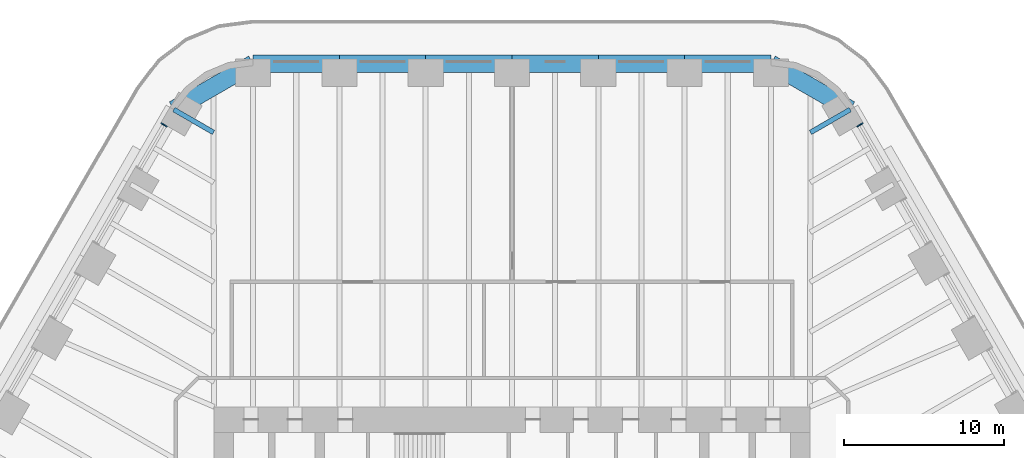
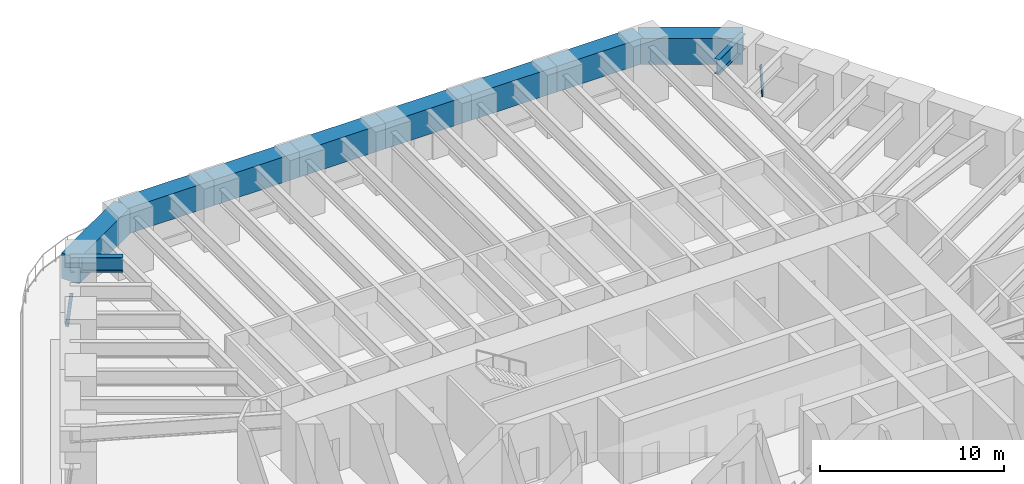
# One storey, part 7 of 16: 10 beams, 2 members, 2 elements without a shape of their own.
"""IFC4 building model written with IfcOpenShell, lengths in metres."""

import ifcopenshell
import ifcopenshell.guid

model = None  # the IFC model being written
_history = None  # IfcOwnerHistory: only IFC2X3 demands one
_inside = {}  # id of a spatial element -> (the spatial element, [elements in it])
_under = {}  # id of a project, library or spatial element -> (it, [spatial elements below it])
_declared = {}  # id of a project -> (the project, [libraries it declares])
_typed = {}  # id of a type object -> (the type object, [elements of that type])
_made_of = {}  # id of a material, layer set ... -> (it, [elements and type objects made of it])


def new_model(schema):
    """Start an empty IFC model of exactly this schema.

    Asked for "IFC4X3", IfcOpenShell would pick the latest addendum, in which some entities
    have other attributes; the version numbers below select the first issue.
    IFC2X3 requires an IfcOwnerHistory on every rooted entity: one is made here for all.
    """
    global model, _history
    if schema == "IFC4X3":
        model = ifcopenshell.file(schema_version=(4, 3, 0, 0))
    else:
        model = ifcopenshell.file(schema=schema)
    _inside.clear()
    _under.clear()
    _declared.clear()
    _typed.clear()
    _made_of.clear()
    _history = None
    if model.schema == "IFC2X3":
        org = make("IfcOrganization", Name="unknown")
        user = make(
            "IfcPersonAndOrganization",
            ThePerson=make("IfcPerson", FamilyName="unknown"),
            TheOrganization=org,
        )
        app = make(
            "IfcApplication",
            ApplicationDeveloper=org,
            Version="unknown",
            ApplicationFullName="unknown",
            ApplicationIdentifier="unknown",
        )
        _history = make(
            "IfcOwnerHistory",
            OwningUser=user,
            OwningApplication=app,
            ChangeAction="ADDED",
            CreationDate=0,
        )
    return model


def make(cls, **values):
    """One entity of the class cls with the attributes given. An attribute that is None is left unset."""
    return model.create_entity(
        cls, **{name: value for name, value in values.items() if value is not None}
    )


def rooted(cls, **values):
    """An entity with a GlobalId (a new one), such as an element, a storey or a relation."""
    return make(cls, GlobalId=ifcopenshell.guid.new(), OwnerHistory=_history, **values)


def si_unit(unit_type, name, prefix=None):
    """IfcSIUnit, for example si_unit("LENGTHUNIT", "METRE", prefix="MILLI")."""
    return make("IfcSIUnit", UnitType=unit_type, Prefix=prefix, Name=name)


def assignment(units):
    """IfcUnitAssignment: the units of a project."""
    return None if units is None else make("IfcUnitAssignment", Units=units)


def point(xyz):
    """IfcCartesianPoint."""
    return None if xyz is None else make("IfcCartesianPoint", Coordinates=xyz)


def direction(xyz):
    """IfcDirection."""
    return None if xyz is None else make("IfcDirection", DirectionRatios=xyz)


def frame(location, z_axis=None, x_axis=None):
    """IfcAxis2Placement3D, a coordinate frame: its origin and axes. An axis left out is left unset."""
    return make(
        "IfcAxis2Placement3D",
        Location=point(location),
        Axis=direction(z_axis),
        RefDirection=direction(x_axis),
    )


def frame_2d(location, x_axis=None):
    """IfcAxis2Placement2D, a coordinate frame in the plane: its origin and x axis."""
    return make(
        "IfcAxis2Placement2D", Location=point(location), RefDirection=direction(x_axis)
    )


def origin():
    """The frame at (0, 0, 0) with its axes left unset."""
    return frame((0.0, 0.0, 0.0))


def origin_2d():
    """The frame at (0, 0) in the plane with its x axis left unset."""
    return frame_2d((0.0, 0.0))


def place(relative_to, where):
    """IfcLocalPlacement: puts the frame where relative to a parent placement (None: the world)."""
    return make(
        "IfcLocalPlacement", PlacementRelTo=relative_to, RelativePlacement=where
    )


def context(
    kind, dimensions, precision=None, world=None, true_north=None, identifier=None
):
    """IfcGeometricRepresentationContext, for example the 3D "Model" context."""
    return make(
        "IfcGeometricRepresentationContext",
        ContextIdentifier=identifier,
        ContextType=kind,
        CoordinateSpaceDimension=dimensions,
        Precision=precision,
        WorldCoordinateSystem=world,
        TrueNorth=true_north,
    )


def subcontext(parent, identifier, kind, view, scale=None):
    """IfcGeometricRepresentationSubContext, for example "Body" below "Model"."""
    return make(
        "IfcGeometricRepresentationSubContext",
        ContextIdentifier=identifier,
        ContextType=kind,
        ParentContext=parent,
        TargetScale=scale,
        TargetView=view,
    )


def project(units=None, contexts=None):
    """IfcProject with its units and contexts."""
    return rooted(
        "IfcProject",
        Name="project",
        RepresentationContexts=contexts,
        UnitsInContext=assignment(units),
    )


def spatial(cls, under=None, at=None, **own):
    """A site, building, storey or space (cls), placed at a placement, below another one or the project."""
    s = rooted(cls, ObjectPlacement=at, **own)
    if under is not None:
        _under.setdefault(under.id(), (under, []))[1].append(s)
    return s


def profile(cls, at=None, kind="AREA", **sizes):
    """A parametric profile (cls). Its sizes go by their IFC names, for example OverallWidth=200.0."""
    return make(cls, ProfileType=kind, Position=at, **sizes)


def rectangle(**sizes):
    """IfcRectangleProfileDef."""
    return profile("IfcRectangleProfileDef", **sizes)


def i_section(**sizes):
    """IfcIShapeProfileDef."""
    return profile("IfcIShapeProfileDef", **sizes)


def extrude(swept, where, along, depth):
    """IfcExtrudedAreaSolid: the profile swept, set in the frame where, extruded along a direction by depth."""
    return make(
        "IfcExtrudedAreaSolid",
        SweptArea=swept,
        Position=where,
        ExtrudedDirection=direction(along),
        Depth=depth,
    )


def shape(context_of_items, identifier, shape_type, items):
    """IfcShapeRepresentation: the items that make up one representation, for example the "Body"."""
    return make(
        "IfcShapeRepresentation",
        ContextOfItems=context_of_items,
        RepresentationIdentifier=identifier,
        RepresentationType=shape_type,
        Items=items,
    )


def material(Name=None, Category=None):
    """IfcMaterial."""
    return make("IfcMaterial", Name=Name, Category=Category)


def material_profile(
    of_material, cross_section, Name=None, Category=None, Priority=None
):
    """IfcMaterialProfile: a cross section and its material."""
    return make(
        "IfcMaterialProfile",
        Name=Name,
        Material=of_material,
        Profile=cross_section,
        Priority=Priority,
        Category=Category,
    )


def profile_set(profiles, Name=None, composite=None):
    """IfcMaterialProfileSet."""
    return make(
        "IfcMaterialProfileSet",
        Name=Name,
        MaterialProfiles=profiles,
        CompositeProfile=composite,
    )


def made_of(thing, what):
    """Note that an element or type object is made of a material, layer set ...; save() writes the relation."""
    if what is not None:
        _made_of.setdefault(what.id(), (what, []))[1].append(thing)
    return thing


def type_object(cls, material=None, **own):
    """A type object (cls), such as IfcWallType, which elements share."""
    return made_of(rooted(cls, **own), material)


def element(
    cls,
    number,
    at=None,
    inside=None,
    cuts=None,
    type_object=None,
    material=None,
    context=None,
    identifier="Body",
    shape_type=None,
    held_by="IfcProductDefinitionShape",
    body=None,
    shapes=None,
    **own,
):
    """One element of the class cls, such as IfcWall. Its Tag is "e" and its number.

    at: its placement. inside: the storey or other place that contains it. cuts: it is an
    opening in that element (IfcRelVoidsElement). A single representation is given by context,
    identifier, shape_type and body (its items); several are given by shapes. held_by: the class
    of the entity that holds the representations. save() writes the other relations.
    """
    e = rooted(cls, Tag="e%d" % number, ObjectPlacement=at, **own)
    if body is not None:
        shapes = [shape(context, identifier, shape_type, body)]
    if shapes is not None:
        e.Representation = make(held_by, Representations=shapes)
    if inside is not None:
        _inside.setdefault(inside.id(), (inside, []))[1].append(e)
    if cuts is not None:
        rooted(
            "IfcRelVoidsElement", RelatingBuildingElement=cuts, RelatedOpeningElement=e
        )
    if type_object is not None:
        _typed.setdefault(type_object.id(), (type_object, []))[1].append(e)
    return made_of(e, material)


def aggregate(whole, parts):
    """IfcRelAggregates: a whole, such as a stair, and the parts it consists of."""
    return rooted("IfcRelAggregates", RelatingObject=whole, RelatedObjects=parts)


def save(model, path):
    """Write the relations noted so far, then the file.

    IfcRelAggregates (storeys below a building ...), IfcRelContainedInSpatialStructure (elements
    in a storey), IfcRelDefinesByType, IfcRelAssociatesMaterial and IfcRelDeclares: one each for
    every whole, place, type object, material and project.
    """
    for whole, parts in _under.values():
        aggregate(whole, parts)
    for where, things in _inside.values():
        rooted(
            "IfcRelContainedInSpatialStructure",
            RelatedElements=things,
            RelatingStructure=where,
        )
    for kind, things in _typed.values():
        rooted("IfcRelDefinesByType", RelatedObjects=things, RelatingType=kind)
    for what, things in _made_of.values():
        rooted("IfcRelAssociatesMaterial", RelatedObjects=things, RelatingMaterial=what)
    for by, libraries in _declared.values():
        rooted("IfcRelDeclares", RelatingContext=by, RelatedDefinitions=libraries)
    model.write(path)


model = new_model("IFC4")

# Units and contexts
model_context = context("Model", 3, precision=1e-05, world=origin(), true_north=direction((0.0, 1.0)))
body_context = subcontext(model_context, "Body", "Model", "MODEL_VIEW")
ifc_project = project(units=[si_unit("LENGTHUNIT", "METRE"), si_unit("AREAUNIT", "SQUARE_METRE"), si_unit("VOLUMEUNIT", "CUBIC_METRE"), si_unit("PLANEANGLEUNIT", "RADIAN"), si_unit("MASSUNIT", "GRAM", prefix="KILO")], contexts=[model_context])

# Site, building, storey
site_placement = place(None, origin())
site = spatial("IfcSite", under=ifc_project, at=site_placement, CompositionType="ELEMENT")
building_placement = place(site_placement, origin())
building = spatial("IfcBuilding", under=site, at=building_placement, Name="Tarfa Lantern Tower", CompositionType="ELEMENT")
storey_placement = place(building_placement, frame((0.0, 0.0, 103.300048828125)))
storey = spatial("IfcBuildingStorey", under=building, at=storey_placement, Name="L23", CompositionType="ELEMENT", Elevation=103.300048828125)

# Curtain wall, member
ifc_material_1 = material(Name="Aluminium framed curtain wall", Category="aluminium")
curtain_wall_type = type_object("IfcCurtainWallType", Name="CW1 CANTED GLAZING LOW ZONE 2200", PredefinedType="USERDEFINED", material=ifc_material_1)
curtain_wall_1_placement = place(storey_placement, origin())
curtain_wall_1 = element("IfcCurtainWall", 1, at=curtain_wall_1_placement, inside=storey, type_object=curtain_wall_type, Name="CW1 NE L23", ObjectType="CURTAIN WALL", PredefinedType="USERDEFINED")
ifc_material_2 = material(Name="Aluminium mullion", Category="aluminium")
ifc_material_profile_1 = material_profile(ifc_material_2, rectangle(XDim=0.06494140625, YDim=0.199951171875, at=origin_2d()), Name="AL MULLION 65x200")
ifc_profile_set_1 = profile_set([ifc_material_profile_1], Name="Aluminium mullion")
member_type = type_object("IfcMemberType", Name="CWM1 MULLION 65x200", PredefinedType="MULLION", material=ifc_profile_set_1)
member_1_placement = place(storey_placement, frame((21.841552734375, 29.96923828125, 0.0), z_axis=(-0.097805549444, -0.056455965406, 0.993602938033), x_axis=(0.499919672301, -0.866071776036, 0.0)))
member_1 = element("IfcMember", 2, at=member_1_placement, type_object=member_type, Name="CW1 mullion 2", PredefinedType="MULLION", context=body_context, shape_type="SweptSolid", body=[
    extrude(rectangle(XDim=0.06494140625, YDim=0.199951171875, at=origin_2d()), origin(), (0.0, 0.0, 1.0), 2.214111328125),
])
aggregate(curtain_wall_1, [member_1])

curtain_wall_2_placement = place(storey_placement, origin())
curtain_wall_2 = element("IfcCurtainWall", 3, at=curtain_wall_2_placement, inside=storey, type_object=curtain_wall_type, Name="CW1 NW L23", ObjectType="CURTAIN WALL", PredefinedType="USERDEFINED")
member_2_placement = place(storey_placement, frame((-21.841552734375, 29.96923828125, 0.0), z_axis=(0.097805549444, -0.056455965406, 0.993602938033), x_axis=(0.499919672301, 0.866071776036, 0.0)))
member_2 = element("IfcMember", 4, at=member_2_placement, type_object=member_type, Name="CW1 mullion 1", PredefinedType="MULLION", context=body_context, shape_type="SweptSolid", body=[
    extrude(rectangle(XDim=0.06494140625, YDim=0.199951171875, at=origin_2d()), origin(), (0.0, 0.0, 1.0), 2.214111328125),
])
aggregate(curtain_wall_2, [member_2])

# Beams
ifc_material_3 = material(Name="Concrete C80/95", Category="concrete")
ifc_material_profile_2 = material_profile(ifc_material_3, rectangle(XDim=1.10009765625, YDim=1.699951171875, at=origin_2d()), Name="RC 1100x1700")
ifc_profile_set_2 = profile_set([ifc_material_profile_2], Name="Concrete C80/95")
beam_type_1 = type_object("IfcBeamType", Name="RB1 RC 1100x1700", PredefinedType="BEAM", material=ifc_profile_set_2)
beam_1_placement = place(storey_placement, frame((21.119384765625, 30.860107421875, 3.050048828125), z_axis=(-0.866033479681, 0.499986011877, 0.0), x_axis=(-0.499986011877, -0.866033479681, 0.0)))
element("IfcBeam", 5, at=beam_1_placement, inside=storey, type_object=beam_type_1, Name="Edge beam NE6", PredefinedType="BEAM", context=body_context, shape_type="SweptSolid", body=[
    extrude(rectangle(XDim=1.10009765625, YDim=1.699951171875, at=origin_2d()), origin(), (0.0, 0.0, 1.0), 5.719970703125),
])
beam_2_placement = place(storey_placement, frame((16.165771484375, 33.719970703125, 3.050048828125), z_axis=(-1.0, 0.0, 0.0), x_axis=(0.0, -1.0, 0.0)))
element("IfcBeam", 6, at=beam_2_placement, inside=storey, type_object=beam_type_1, Name="Edge beam N0", PredefinedType="BEAM", context=body_context, shape_type="SweptSolid", body=[
    extrude(rectangle(XDim=1.10009765625, YDim=1.699951171875, at=origin_2d()), origin(), (0.0, 0.0, 1.0), 5.388671875),
])
beam_3_placement = place(storey_placement, frame((10.777099609375, 33.719970703125, 3.050048828125), z_axis=(-1.0, 0.0, 0.0), x_axis=(0.0, -1.0, 0.0)))
element("IfcBeam", 7, at=beam_3_placement, inside=storey, type_object=beam_type_1, Name="Edge beam N1", PredefinedType="BEAM", context=body_context, shape_type="SweptSolid", body=[
    extrude(rectangle(XDim=1.10009765625, YDim=1.699951171875, at=origin_2d()), origin(), (0.0, 0.0, 1.0), 5.388427734375),
])
for number, where, z_axis, x_axis, name in (
    (8, (5.388671875, 33.719970703125, 3.050048828125), (-1.0, 0.0, 0.0), (0.0, -1.0, 0.0), "Edge beam N2"),
    (9, (0.0, 33.719970703125, 3.050048828125), (-1.0, 0.0, 0.0), (0.0, -1.0, 0.0), "Edge beam N3"),
):
    element("IfcBeam", number, at=place(storey_placement, frame(where, z_axis=z_axis, x_axis=x_axis)), inside=storey, type_object=beam_type_1, Name=name, PredefinedType="BEAM", context=body_context, shape_type="SweptSolid", body=[
        extrude(rectangle(XDim=1.10009765625, YDim=1.699951171875, at=origin_2d()), origin(), (0.0, 0.0, 1.0), 5.388671875),
    ])
beam_4_placement = place(storey_placement, frame((-5.388671875, 33.719970703125, 3.050048828125), z_axis=(-1.0, 0.0, 0.0), x_axis=(0.0, -1.0, 0.0)))
element("IfcBeam", 10, at=beam_4_placement, inside=storey, type_object=beam_type_1, Name="Edge beam N4", PredefinedType="BEAM", context=body_context, shape_type="SweptSolid", body=[
    extrude(rectangle(XDim=1.10009765625, YDim=1.699951171875, at=origin_2d()), origin(), (0.0, 0.0, 1.0), 5.388427734375),
])
beam_5_placement = place(storey_placement, frame((-10.777099609375, 33.719970703125, 3.050048828125), z_axis=(-1.0, 0.0, 0.0), x_axis=(0.0, -1.0, 0.0)))
element("IfcBeam", 11, at=beam_5_placement, inside=storey, type_object=beam_type_1, Name="Edge beam N5", PredefinedType="BEAM", context=body_context, shape_type="SweptSolid", body=[
    extrude(rectangle(XDim=1.10009765625, YDim=1.699951171875, at=origin_2d()), origin(), (0.0, 0.0, 1.0), 5.388671875),
])
beam_6_placement = place(storey_placement, frame((-16.165771484375, 33.719970703125, 3.050048828125), z_axis=(-0.866033479681, -0.499986011877, 0.0), x_axis=(0.499986011877, -0.866033479681, 0.0)))
element("IfcBeam", 12, at=beam_6_placement, inside=storey, type_object=beam_type_1, Name="Edge beam N6", PredefinedType="BEAM", context=body_context, shape_type="SweptSolid", body=[
    extrude(rectangle(XDim=1.10009765625, YDim=1.699951171875, at=origin_2d()), origin(), (0.0, 0.0, 1.0), 5.719970703125),
])
ifc_material_4 = material(Name="Steel S460M", Category="steel")
ifc_material_profile_3 = material_profile(ifc_material_4, i_section(OverallWidth=0.302001953125, OverallDepth=1.008056640625, WebThickness=0.02099609375, FlangeThickness=0.0400390625, FilletRadius=0.030029296875, at=origin_2d()), Name="UB1016x305x349")
ifc_profile_set_3 = profile_set([ifc_material_profile_3], Name="Steel S460M")
beam_type_2 = type_object("IfcBeamType", Name="UB1016x305x349", PredefinedType="BEAM", material=ifc_profile_set_3)
for number, where, z_axis, x_axis, name in (
    (13, (21.119384765625, 30.860107421875, 3.39599609375), (-0.866012580594, -0.500022209759, 0.0), (0.500022209759, -0.866012580594, 0.0), "Floor beam NE6"),
    (14, (-21.119384765625, 30.860107421875, 3.39599609375), (0.866012580594, -0.500022209759, 0.0), (0.500022209759, 0.866012580594, 0.0), "Floor beam NW0"),
):
    element("IfcBeam", number, at=place(storey_placement, frame(where, z_axis=z_axis, x_axis=x_axis)), inside=storey, type_object=beam_type_2, Name=name, PredefinedType="BEAM", context=body_context, shape_type="SweptSolid", body=[
        extrude(i_section(OverallWidth=0.302001953125, OverallDepth=1.008056640625, WebThickness=0.02099609375, FlangeThickness=0.0400390625, FilletRadius=0.030029296875, at=origin_2d()), origin(), (0.0, 0.0, 1.0), 2.866943359375),
    ])

save(model, "model.ifc")
